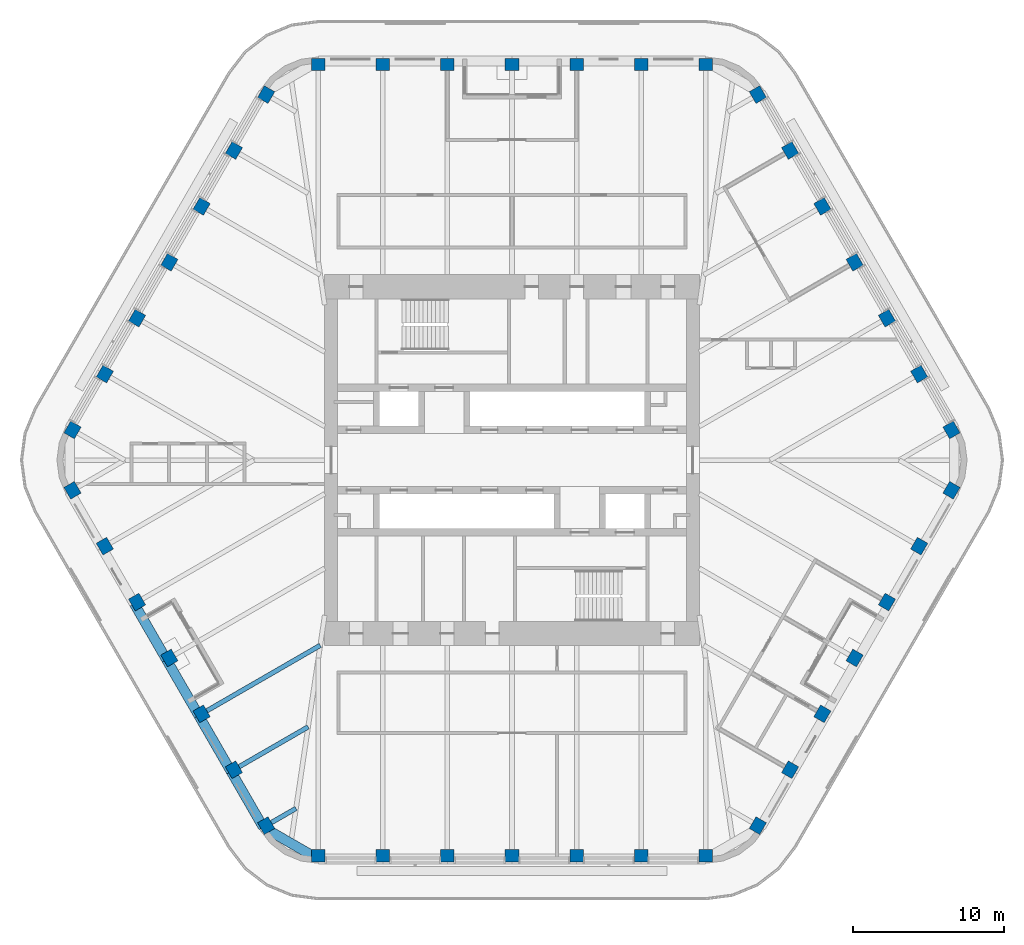
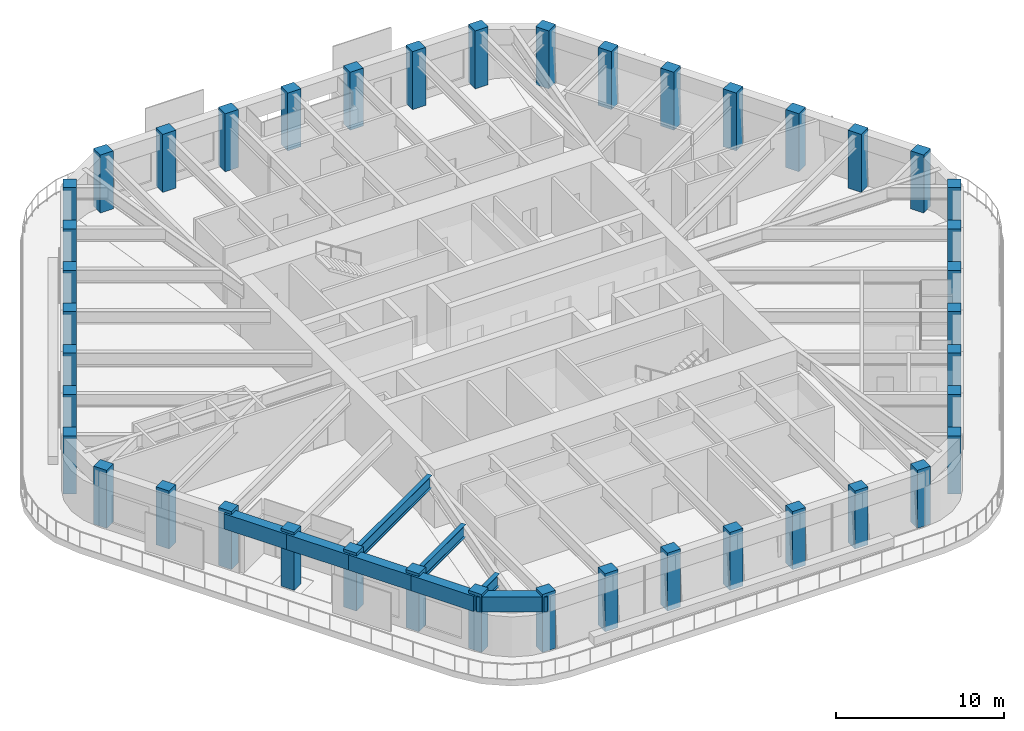
# One storey, part 1 of 19: 42 columns, 8 beams.
"""IFC4 building model written with IfcOpenShell, lengths in metres."""

from ifc_helpers import new_model, si_unit, direction, frame, origin, origin_2d, place, context, subcontext, project, spatial, rectangle, i_section, extrude, material, material_profile, profile_set, type_object, element, save


model = new_model("IFC4")

# Units and contexts
model_context = context("Model", 3, precision=1e-05, world=origin(), true_north=direction((0.0, 1.0)))
body_context = subcontext(model_context, "Body", "Model", "MODEL_VIEW")
ifc_project = project(units=[si_unit("LENGTHUNIT", "METRE"), si_unit("AREAUNIT", "SQUARE_METRE"), si_unit("VOLUMEUNIT", "CUBIC_METRE"), si_unit("PLANEANGLEUNIT", "RADIAN"), si_unit("MASSUNIT", "GRAM", prefix="KILO")], contexts=[model_context])

# Site, building, storey
site_placement = place(None, origin())
site = spatial("IfcSite", under=ifc_project, at=site_placement, CompositionType="ELEMENT")
building_placement = place(site_placement, origin())
building = spatial("IfcBuilding", under=site, at=building_placement, Name="Tarfa Lantern Tower", CompositionType="ELEMENT")
storey_placement = place(building_placement, frame((0.0, 0.0, 357.699951171875)))
storey = spatial("IfcBuildingStorey", under=building, at=storey_placement, Name="L81", CompositionType="ELEMENT", Elevation=357.699951171875)

# Columns
ifc_material_1 = material(Name="Concrete C80/95", Category="concrete")
ifc_material_profile_1 = material_profile(ifc_material_1, rectangle(XDim=0.89990234375, YDim=0.800048828125, at=origin_2d()), Name="RC 900x800")
ifc_profile_set_1 = profile_set([ifc_material_profile_1], Name="Concrete C80/95")
column_type = type_object("IfcColumnType", Name="TC15 RC 900x800", PredefinedType="COLUMN", material=ifc_profile_set_1)
for number, where, z_axis, x_axis, name in (
    (1, (29.15625, 2.0, 0.0), (0.0, 0.0, 1.0), (-0.5, 0.866025403784, 0.0), "Tube column NE0"),
    (2, (27.01513671875, 5.708251953125, 0.0), (0.0, 0.0, 1.0), (-0.5, 0.866025403784, 0.0), "Tube column NE1"),
    (3, (24.874267578125, 9.416748046875, 0.0), (0.0, 0.0, 1.0), (-0.5, 0.866025403784, 0.0), "Tube column NE2"),
    (4, (22.733154296875, 13.125, 0.0), (0.0, 0.0, 1.0), (-0.5, 0.866025403784, 0.0), "Tube column NE3"),
    (5, (20.592041015625, 16.833251953125, 0.0), (0.0, 0.0, 1.0), (-0.5, 0.866025403784, 0.0), "Tube column NE4"),
    (6, (18.451171875, 20.541748046875, 0.0), (0.0, 0.0, 1.0), (-0.5, 0.866025403784, 0.0), "Tube column NE5"),
    (7, (16.31005859375, 24.25, 0.0), (0.0, 0.0, 1.0), (-0.5, 0.866025403784, 0.0), "Tube column NE6"),
    (8, (12.845947265625, 26.25, 0.0), (0.0, 0.0, 1.0), (-1.0, 0.0, 0.0), "Tube column N0"),
    (9, (8.56396484375, 26.25, 0.0), (0.0, 0.0, 1.0), (-1.0, 0.0, 0.0), "Tube column N1"),
    (10, (4.281982421875, 26.25, 0.0), (0.0, 0.0, 1.0), (-1.0, 0.0, 0.0), "Tube column N2"),
    (11, (0.0, 26.25, 0.0), (0.0, 0.0, 1.0), (-1.0, 0.0, 0.0), "Tube column N3"),
    (12, (-4.281982421875, 26.25, 0.0), (0.0, 0.0, 1.0), (-1.0, 0.0, 0.0), "Tube column N4"),
    (13, (-8.56396484375, 26.25, 0.0), (0.0, 0.0, 1.0), (-1.0, 0.0, 0.0), "Tube column N5"),
    (14, (-12.845947265625, 26.25, 0.0), (0.0, 0.0, 1.0), (-1.0, 0.0, 0.0), "Tube column N6"),
    (15, (-16.31005859375, 24.25, 0.0), (0.0, 0.0, 1.0), (-0.5, -0.866025403784, 0.0), "Tube column NW0"),
    (16, (-18.451171875, 20.541748046875, 0.0), (0.0, 0.0, 1.0), (-0.5, -0.866025403784, 0.0), "Tube column NW1"),
    (17, (-20.592041015625, 16.833251953125, 0.0), (0.0, 0.0, 1.0), (-0.5, -0.866025403784, 0.0), "Tube column NW2"),
    (18, (-22.733154296875, 13.125, 0.0), (0.0, 0.0, 1.0), (-0.5, -0.866025403784, 0.0), "Tube column NW3"),
    (19, (-24.874267578125, 9.416748046875, 0.0), (0.0, 0.0, 1.0), (-0.5, -0.866025403784, 0.0), "Tube column NW4"),
    (20, (-27.01513671875, 5.708251953125, 0.0), (0.0, 0.0, 1.0), (-0.5, -0.866025403784, 0.0), "Tube column NW5"),
    (21, (-29.15625, 2.0, 0.0), (0.0, 0.0, 1.0), (-0.5, -0.866025403784, 0.0), "Tube column NW6"),
    (22, (-29.15625, -2.0, 0.0), (0.0, 0.0, 1.0), (0.5, -0.866025403784, 0.0), "Tube column SW0"),
    (23, (-27.01513671875, -5.708251953125, 0.0), (0.0, 0.0, 1.0), (0.5, -0.866025403784, 0.0), "Tube column SW1"),
    (24, (-24.874267578125, -9.416748046875, 0.0), (0.0, 0.0, 1.0), (0.5, -0.866025403784, 0.0), "Tube column SW2"),
    (25, (-22.733154296875, -13.125, 0.0), (0.0, 0.0, 1.0), (0.5, -0.866025403784, 0.0), "Tube column SW3"),
    (26, (-20.592041015625, -16.833251953125, 0.0), (0.0, 0.0, 1.0), (0.5, -0.866025403784, 0.0), "Tube column SW4"),
    (27, (-18.451171875, -20.541748046875, 0.0), (0.0, 0.0, 1.0), (0.5, -0.866025403784, 0.0), "Tube column SW5"),
    (28, (-16.31005859375, -24.25, 0.0), (0.0, 0.0, 1.0), (0.5, -0.866025403784, 0.0), "Tube column SW6"),
    (29, (-12.845947265625, -26.25, 0.0), (0.0, 0.0, 1.0), (1.0, 0.0, 0.0), "Tube column S0"),
    (30, (-8.56396484375, -26.25, 0.0), (0.0, 0.0, 1.0), (1.0, 0.0, 0.0), "Tube column S1"),
    (31, (-4.281982421875, -26.25, 0.0), (0.0, 0.0, 1.0), (1.0, 0.0, 0.0), "Tube column S2"),
    (32, (0.0, -26.25, 0.0), (0.0, 0.0, 1.0), (1.0, 0.0, 0.0), "Tube column S3"),
    (33, (4.281982421875, -26.25, 0.0), (0.0, 0.0, 1.0), (1.0, 0.0, 0.0), "Tube column S4"),
    (34, (8.56396484375, -26.25, 0.0), (0.0, 0.0, 1.0), (1.0, 0.0, 0.0), "Tube column S5"),
    (35, (12.845947265625, -26.25, 0.0), (0.0, 0.0, 1.0), (1.0, 0.0, 0.0), "Tube column S6"),
    (36, (16.31005859375, -24.25, 0.0), (0.0, 0.0, 1.0), (0.5, 0.866025403784, 0.0), "Tube column SE0"),
    (37, (18.451171875, -20.541748046875, 0.0), (0.0, 0.0, 1.0), (0.5, 0.866025403784, 0.0), "Tube column SE1"),
    (38, (20.592041015625, -16.833251953125, 0.0), (0.0, 0.0, 1.0), (0.5, 0.866025403784, 0.0), "Tube column SE2"),
    (39, (22.733154296875, -13.125, 0.0), (0.0, 0.0, 1.0), (0.5, 0.866025403784, 0.0), "Tube column SE3"),
    (40, (24.874267578125, -9.416748046875, 0.0), (0.0, 0.0, 1.0), (0.5, 0.866025403784, 0.0), "Tube column SE4"),
    (41, (27.01513671875, -5.708251953125, 0.0), (0.0, 0.0, 1.0), (0.5, 0.866025403784, 0.0), "Tube column SE5"),
    (42, (29.15625, -2.0, 0.0), (0.0, 0.0, 1.0), (0.5, 0.866025403784, 0.0), "Tube column SE6"),
):
    element("IfcColumn", number, at=place(storey_placement, frame(where, z_axis=z_axis, x_axis=x_axis)), inside=storey, type_object=column_type, Name=name, PredefinedType="COLUMN", context=body_context, shape_type="SweptSolid", body=[
        extrude(rectangle(XDim=0.89990234375, YDim=0.800048828125, at=origin_2d()), origin(), (0.0, 0.0, 1.0), 4.199951171875),
    ])

# Beams
ifc_material_profile_2 = material_profile(ifc_material_1, rectangle(XDim=0.64990234375, YDim=1.10009765625, at=origin_2d()), Name="RC 650x1100")
ifc_profile_set_2 = profile_set([ifc_material_profile_2], Name="Concrete C80/95")
beam_type_1 = type_object("IfcBeamType", Name="EB4 RC 650x1100", PredefinedType="SPANDREL", material=ifc_profile_set_2)
beam_1_placement = place(storey_placement, frame((-25.064697265625, -9.526611328125, 3.449951171875), z_axis=(0.500002112793, -0.866024183959, 0.0), x_axis=(0.866024183959, 0.500002112793, 0.0)))
element("IfcBeam", 43, at=beam_1_placement, inside=storey, type_object=beam_type_1, Name="Edge beam SW2", PredefinedType="SPANDREL", context=body_context, shape_type="SweptSolid", body=[
    extrude(rectangle(XDim=0.64990234375, YDim=1.10009765625, at=origin_2d()), origin(), (0.0, 0.0, 1.0), 4.2822265625),
])
for number, where, z_axis, x_axis, name in (
    (44, (-22.923583984375, -13.235107421875, 3.449951171875), (0.499984039138, -0.866034618596, 0.0), (0.866034618596, 0.499984039138, 0.0), "Edge beam SW3"),
    (45, (-20.78271484375, -16.943359375, 3.449951171875), (0.500026801138, -0.866009929587, 0.0), (0.866009929587, 0.500026801138, 0.0), "Edge beam SW4"),
    (46, (-18.6416015625, -20.651611328125, 3.449951171875), (0.499959351497, -0.866048870937, 0.0), (0.866048870937, 0.499959351497, 0.0), "Edge beam SW5"),
):
    element("IfcBeam", number, at=place(storey_placement, frame(where, z_axis=z_axis, x_axis=x_axis)), inside=storey, type_object=beam_type_1, Name=name, PredefinedType="SPANDREL", context=body_context, shape_type="SweptSolid", body=[
        extrude(rectangle(XDim=0.64990234375, YDim=1.10009765625, at=origin_2d()), origin(), (0.0, 0.0, 1.0), 4.281982421875),
    ])
beam_2_placement = place(storey_placement, frame((-16.500732421875, -24.360107421875, 3.449951171875), z_axis=(0.866048788483, -0.499959494327, 0.0), x_axis=(0.499959494327, 0.866048788483, 0.0)))
element("IfcBeam", 47, at=beam_2_placement, inside=storey, type_object=beam_type_1, Name="Edge beam SW6", PredefinedType="SPANDREL", context=body_context, shape_type="SweptSolid", body=[
    extrude(rectangle(XDim=0.64990234375, YDim=1.10009765625, at=origin_2d()), origin(), (0.0, 0.0, 1.0), 4.219970703125),
])
ifc_material_2 = material(Name="Steel S460M", Category="steel")
ifc_material_profile_3 = material_profile(ifc_material_2, i_section(OverallWidth=0.305419921875, OverallDepth=0.91845703125, WebThickness=0.017333984375, FlangeThickness=0.02783203125, FilletRadius=0.01904296875, at=origin_2d()), Name="UB914x305x253")
ifc_profile_set_3 = profile_set([ifc_material_profile_3], Name="Steel S460M")
beam_type_2 = type_object("IfcBeamType", Name="UB914x305x253", PredefinedType="BEAM", material=ifc_profile_set_3)
beam_3_placement = place(storey_placement, frame((-20.78271484375, -16.943359375, 3.540771484375), z_axis=(0.866021806508, 0.500006230613, 0.0), x_axis=(-0.500006230613, 0.866021806508, 0.0)))
element("IfcBeam", 48, at=beam_3_placement, inside=storey, type_object=beam_type_2, Name="Floor beam SW4", PredefinedType="BEAM", context=body_context, shape_type="SweptSolid", body=[
    extrude(i_section(OverallWidth=0.305419921875, OverallDepth=0.91845703125, WebThickness=0.017333984375, FlangeThickness=0.02783203125, FilletRadius=0.01904296875, at=origin_2d()), origin(), (0.0, 0.0, 1.0), 9.30908203125),
])
beam_4_placement = place(storey_placement, frame((-18.6416015625, -20.651611328125, 3.540771484375), z_axis=(0.866024549157, 0.500001480256, 0.0), x_axis=(-0.500001480256, 0.866024549157, 0.0)))
element("IfcBeam", 49, at=beam_4_placement, inside=storey, type_object=beam_type_2, Name="Floor beam SW5", PredefinedType="BEAM", context=body_context, shape_type="SweptSolid", body=[
    extrude(i_section(OverallWidth=0.305419921875, OverallDepth=0.91845703125, WebThickness=0.017333984375, FlangeThickness=0.02783203125, FilletRadius=0.01904296875, at=origin_2d()), origin(), (0.0, 0.0, 1.0), 5.90771484375),
])
beam_5_placement = place(storey_placement, frame((-16.500732421875, -24.360107421875, 3.540771484375), z_axis=(0.865992557167, 0.500056887695, 0.0), x_axis=(-0.500056887695, 0.865992557167, 0.0)))
element("IfcBeam", 50, at=beam_5_placement, inside=storey, type_object=beam_type_2, Name="Floor beam SW6", PredefinedType="BEAM", context=body_context, shape_type="SweptSolid", body=[
    extrude(i_section(OverallWidth=0.305419921875, OverallDepth=0.91845703125, WebThickness=0.017333984375, FlangeThickness=0.02783203125, FilletRadius=0.01904296875, at=origin_2d()), origin(), (0.0, 0.0, 1.0), 2.506591796875),
])

save(model, "model.ifc")
